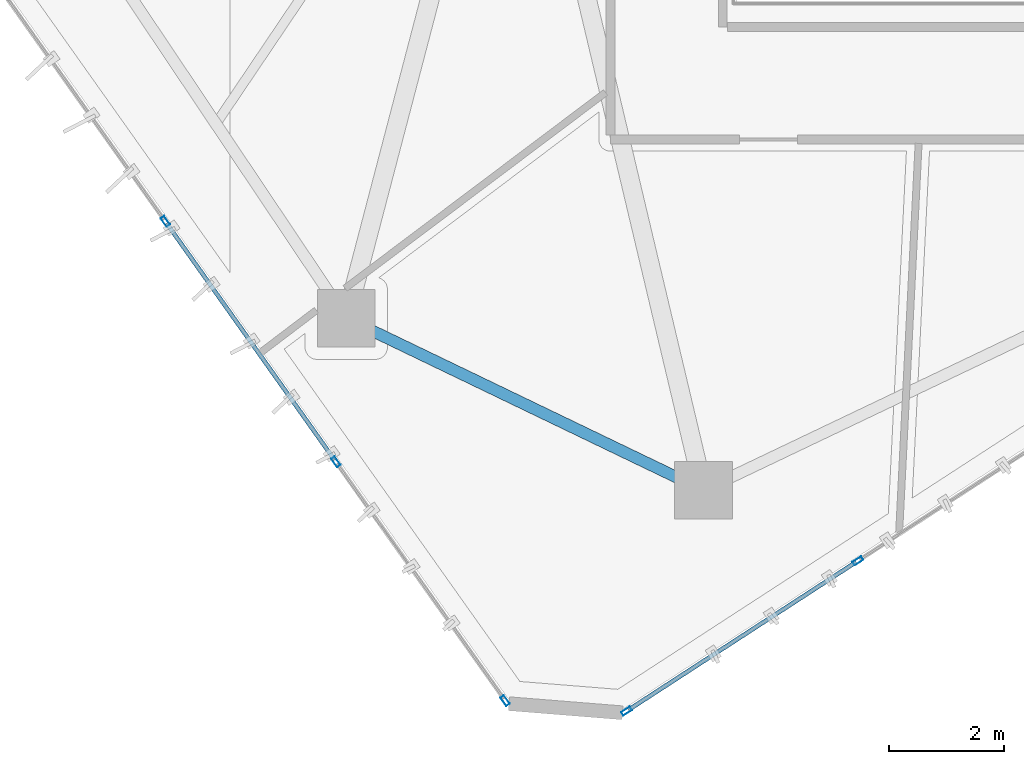
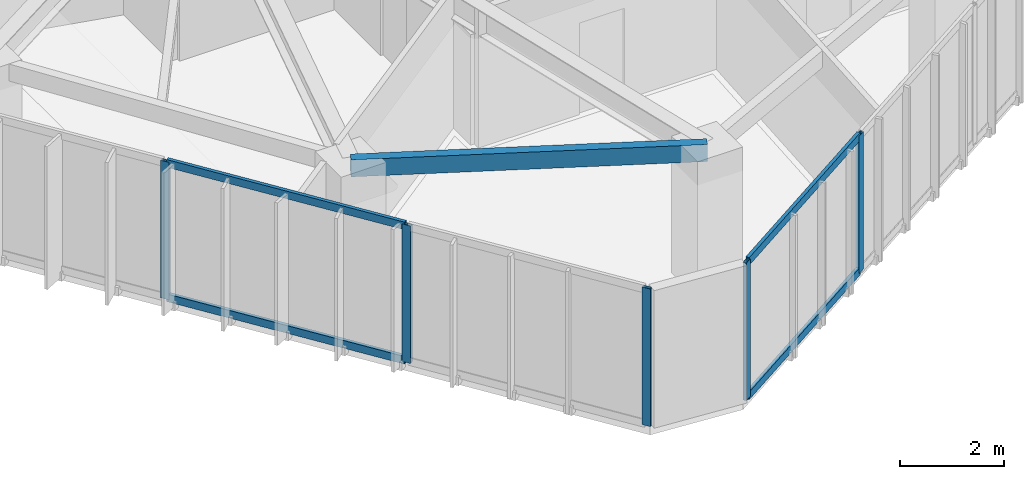
# One storey, part 2 of 18: 9 members, 1 beam, 2 elements without a shape of their own.
"""IFC4 building model written with IfcOpenShell, lengths in metres."""

from ifc_helpers import new_model, si_unit, direction, frame, origin, origin_2d, place, context, subcontext, project, spatial, hollow_rectangle, extrude, source, transform, mapped, material, layer, layer_set, material_profile, profile_set, type_object, type_shapes, element, aggregate, save


model = new_model("IFC4")

# Units and contexts
model_context = context("Model", 3, precision=1e-05, world=origin(), true_north=direction((0.0, 1.0)))
body_context = subcontext(model_context, "Body", "Model", "MODEL_VIEW")
ifc_project = project(units=[si_unit("LENGTHUNIT", "METRE"), si_unit("AREAUNIT", "SQUARE_METRE"), si_unit("VOLUMEUNIT", "CUBIC_METRE"), si_unit("PLANEANGLEUNIT", "RADIAN"), si_unit("MASSUNIT", "GRAM", prefix="KILO")], contexts=[model_context])

# Site, building, storey
site_placement = place(None, origin())
site = spatial("IfcSite", under=ifc_project, at=site_placement, CompositionType="ELEMENT")
building_placement = place(site_placement, origin())
building = spatial("IfcBuilding", under=site, at=building_placement, Name="Talar Marvaseh", CompositionType="ELEMENT")
storey_placement = place(building_placement, frame((0.0, 0.0, 188.0)))
storey = spatial("IfcBuildingStorey", under=building, at=storey_placement, Name="L49", CompositionType="ELEMENT", Elevation=188.0)

# Beam
ifc_material_1 = material(Name="Steel S355", Category="steel")
ifc_material_profile_1 = material_profile(ifc_material_1, hollow_rectangle(XDim=0.199951171875, YDim=0.39990234375, WallThickness=0.013916015625, at=origin_2d()), Name="RHS400x200x14")
ifc_profile_set_1 = profile_set([ifc_material_profile_1], Name="Steel S355")
beam_type = type_object("IfcBeamType", Name="Zone 3 Perimeter Spandrel Beam RHS400x200x14", PredefinedType="SPANDREL", material=ifc_profile_set_1)
beam_placement = place(storey_placement, frame((22.014892578125, 11.51904296875, 3.030029296875), z_axis=(-0.901071562993, 0.433670425975, 0.0), x_axis=(-0.433670425975, -0.901071562993, 0.0)))
element("IfcBeam", 1, at=beam_placement, inside=storey, type_object=beam_type, Name="L49 Zone 3 Perimeter Spandrel Beam RHS400x200x14", PredefinedType="SPANDREL", context=body_context, shape_type="SweptSolid", body=[
    extrude(hollow_rectangle(XDim=0.199951171875, YDim=0.39990234375, WallThickness=0.013916015625, at=origin_2d()), origin(), (0.0, 0.0, 1.0), 6.8759765625),
])

# Curtain wall, members
ifc_material_2 = material(Name="Architectural Aluminium", Category="aluminium")
ifc_layer = layer(ifc_material_2, 0.18994140625)
ifc_layer_set = layer_set([ifc_layer], Name="Architectural Aluminium")
curtain_wall_type = type_object("IfcCurtainWallType", Name="Unitised Solar Atelier Curtain Wall Z3", PredefinedType="NOTDEFINED", material=ifc_layer_set)
curtain_wall_1_placement = place(storey_placement, origin())
curtain_wall_1 = element("IfcCurtainWall", 2, at=curtain_wall_1_placement, inside=storey, type_object=curtain_wall_type, Name="L49 Unitised Solar Atelier Curtain Wall Z3", PredefinedType="NOTDEFINED")
ifc_material_profile_2 = material_profile(ifc_material_2, hollow_rectangle(XDim=0.074951171875, YDim=0.179931640625, WallThickness=0.0048828125, at=origin_2d()), Name="RHS180x75x5")
ifc_profile_set_2 = profile_set([ifc_material_profile_2], Name="Architectural Aluminium")
member_type_1 = type_object("IfcMemberType", Name="Unitised Curtain Wall Standard Mullion RHS180x75x5", PredefinedType="MULLION", material=ifc_profile_set_2)
shared_shape_1 = source(origin(), body_context, "Body", "SweptSolid", [
    extrude(hollow_rectangle(XDim=0.074951171875, YDim=0.179931640625, WallThickness=0.0048828125, at=origin_2d()), origin(), (0.0, 0.0, 1.0), 3.22998046875),
])
type_shapes(member_type_1, [shared_shape_1])
member_1_placement = place(storey_placement, frame((18.5751953125, 7.870849609375, 0.0), z_axis=(0.0, 0.0, 1.0), x_axis=(-0.815673266226, -0.57851285445, 0.0)))
member_1 = element("IfcMember", 3, at=member_1_placement, type_object=member_type_1, Name="CW-Z3 mullion 1", PredefinedType="MULLION", context=body_context, shape_type="MappedRepresentation", body=[
    mapped(shared_shape_1, transform((0.0, 0.0, 0.0), x_axis=(1.0, 0.0, 0.0), y_axis=(0.0, 1.0, 0.0), z_axis=(0.0, 0.0, 1.0), scale=1.0)),
])
member_2_placement = place(storey_placement, frame((15.63916015625, 12.0107421875, 0.0), z_axis=(0.0, 0.0, 1.0), x_axis=(-0.815673266226, -0.57851285445, 0.0)))
member_2 = element("IfcMember", 4, at=member_2_placement, type_object=member_type_1, Name="CW-Z3 mullion 2", PredefinedType="MULLION", context=body_context, shape_type="MappedRepresentation", body=[
    mapped(shared_shape_1, transform((0.0, 0.0, 0.0), x_axis=(1.0, 0.0, 0.0), y_axis=(0.0, 1.0, 0.0), z_axis=(0.0, 0.0, 1.0), scale=1.0)),
])
member_3_placement = place(storey_placement, frame((12.68115234375, 16.181396484375, 0.0), z_axis=(0.0, 0.0, 1.0), x_axis=(-0.815673266226, -0.57851285445, 0.0)))
member_3 = element("IfcMember", 5, at=member_3_placement, type_object=member_type_1, Name="CW-Z3 mullion 3", PredefinedType="MULLION", context=body_context, shape_type="MappedRepresentation", body=[
    mapped(shared_shape_1, transform((0.0, 0.0, 0.0), x_axis=(1.0, 0.0, 0.0), y_axis=(0.0, 1.0, 0.0), z_axis=(0.0, 0.0, 1.0), scale=1.0)),
])

curtain_wall_2_placement = place(storey_placement, origin())
curtain_wall_2 = element("IfcCurtainWall", 6, at=curtain_wall_2_placement, inside=storey, type_object=curtain_wall_type, Name="L49 Unitised Solar Atelier Curtain Wall Z3", PredefinedType="NOTDEFINED")
member_4_placement = place(storey_placement, frame((24.69384765625, 10.2939453125, 0.0), z_axis=(0.0, 0.0, 1.0), x_axis=(0.544771292146, -0.838584664332, 0.0)))
member_4 = element("IfcMember", 7, at=member_4_placement, type_object=member_type_1, Name="CW-Z3 mullion 4", PredefinedType="MULLION", context=body_context, shape_type="MappedRepresentation", body=[
    mapped(shared_shape_1, transform((0.0, 0.0, 0.0), x_axis=(1.0, 0.0, 0.0), y_axis=(0.0, 1.0, 0.0), z_axis=(0.0, 0.0, 1.0), scale=1.0)),
])
member_5_placement = place(storey_placement, frame((20.681640625, 7.6875, 0.0), z_axis=(0.0, 0.0, 1.0), x_axis=(0.544771292146, -0.838584664332, 0.0)))
member_5 = element("IfcMember", 8, at=member_5_placement, type_object=member_type_1, Name="CW-Z3 mullion 5", PredefinedType="MULLION", context=body_context, shape_type="MappedRepresentation", body=[
    mapped(shared_shape_1, transform((0.0, 0.0, 0.0), x_axis=(1.0, 0.0, 0.0), y_axis=(0.0, 1.0, 0.0), z_axis=(0.0, 0.0, 1.0), scale=1.0)),
])

# Member
ifc_material_profile_3 = material_profile(ifc_material_2, hollow_rectangle(XDim=0.074951171875, YDim=0.179931640625, WallThickness=0.0048828125, at=origin_2d()), Name="RHS180x75x5")
ifc_profile_set_3 = profile_set([ifc_material_profile_3], Name="Architectural Aluminium")
member_type_2 = type_object("IfcMemberType", Name="Unitised Curtain Wall Transom RHS180x75x5", PredefinedType="USERDEFINED", material=ifc_profile_set_3)
shared_shape_2 = source(origin(), body_context, "Body", "SweptSolid", [
    extrude(hollow_rectangle(XDim=0.074951171875, YDim=0.179931640625, WallThickness=0.0048828125, at=origin_2d()), origin(), (0.0, 0.0, 1.0), 5.0380859375),
])
member_6_placement = place(storey_placement, frame((15.617431640625, 12.04150390625, 0.03759765625), z_axis=(-0.57851202778, 0.815673852538, 0.0), x_axis=(-0.815673852538, -0.57851202778, 0.0)))
member_6 = element("IfcMember", 9, at=member_6_placement, type_object=member_type_2, Name="CW-Z3 transom 2.1", ObjectType="TRANSOM", PredefinedType="USERDEFINED", context=body_context, shape_type="MappedRepresentation", body=[
    mapped(shared_shape_2, transform((0.0, 0.0, 0.0), x_axis=(1.0, 0.0, 0.0), y_axis=(0.0, 1.0, 0.0), z_axis=(0.0, 0.0, 1.0), scale=1.0)),
])

member_7_placement = place(storey_placement, frame((15.617431640625, 12.04150390625, 3.1923828125), z_axis=(-0.57851202778, 0.815673852538, 0.0), x_axis=(-0.815673852538, -0.57851202778, 0.0)))
member_7 = element("IfcMember", 10, at=member_7_placement, type_object=member_type_2, Name="CW-Z3 transom 2.2", ObjectType="TRANSOM", PredefinedType="USERDEFINED", context=body_context, shape_type="MappedRepresentation", body=[
    mapped(shared_shape_2, transform((0.0, 0.0, 0.0), x_axis=(1.0, 0.0, 0.0), y_axis=(0.0, 1.0, 0.0), z_axis=(0.0, 0.0, 1.0), scale=1.0)),
])

aggregate(curtain_wall_1, [member_1, member_2, member_3, member_6, member_7])

shared_shape_3 = source(origin(), body_context, "Body", "SweptSolid", [
    extrude(hollow_rectangle(XDim=0.074951171875, YDim=0.179931640625, WallThickness=0.0048828125, at=origin_2d()), origin(), (0.0, 0.0, 1.0), 4.709716796875),
])
type_shapes(member_type_2, [shared_shape_2, shared_shape_3])
member_8_placement = place(storey_placement, frame((24.662353515625, 10.2734375, 0.03759765625), z_axis=(-0.838586894029, -0.544767859884, 0.0), x_axis=(0.544767859884, -0.838586894029, 0.0)))
member_8 = element("IfcMember", 11, at=member_8_placement, type_object=member_type_2, Name="CW-Z3 transom 4.1", ObjectType="TRANSOM", PredefinedType="USERDEFINED", context=body_context, shape_type="MappedRepresentation", body=[
    mapped(shared_shape_3, transform((0.0, 0.0, 0.0), x_axis=(1.0, 0.0, 0.0), y_axis=(0.0, 1.0, 0.0), z_axis=(0.0, 0.0, 1.0), scale=1.0)),
])

member_9_placement = place(storey_placement, frame((24.662353515625, 10.2734375, 3.1923828125), z_axis=(-0.838586894029, -0.544767859884, 0.0), x_axis=(0.544767859884, -0.838586894029, 0.0)))
member_9 = element("IfcMember", 12, at=member_9_placement, type_object=member_type_2, Name="CW-Z3 transom 4.2", ObjectType="TRANSOM", PredefinedType="USERDEFINED", context=body_context, shape_type="MappedRepresentation", body=[
    mapped(shared_shape_3, transform((0.0, 0.0, 0.0), x_axis=(1.0, 0.0, 0.0), y_axis=(0.0, 1.0, 0.0), z_axis=(0.0, 0.0, 1.0), scale=1.0)),
])

aggregate(curtain_wall_2, [member_4, member_5, member_8, member_9])

save(model, "model.ifc")
